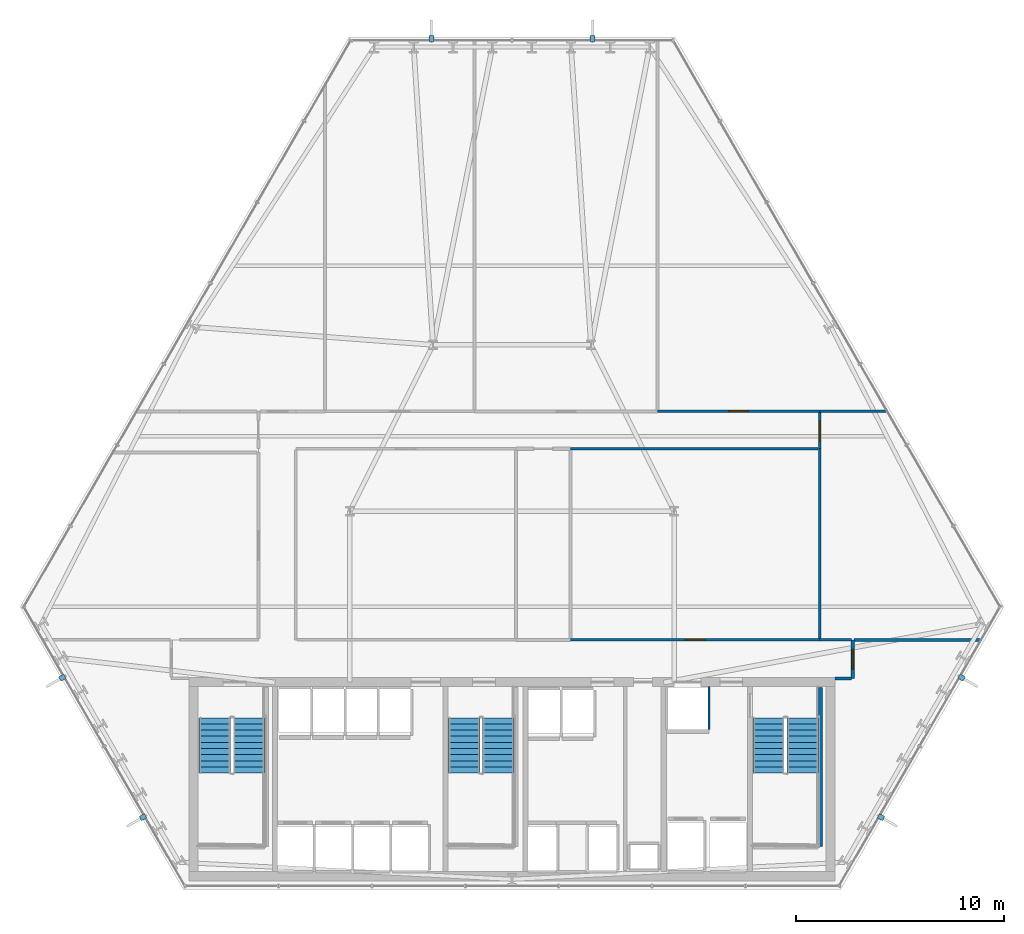
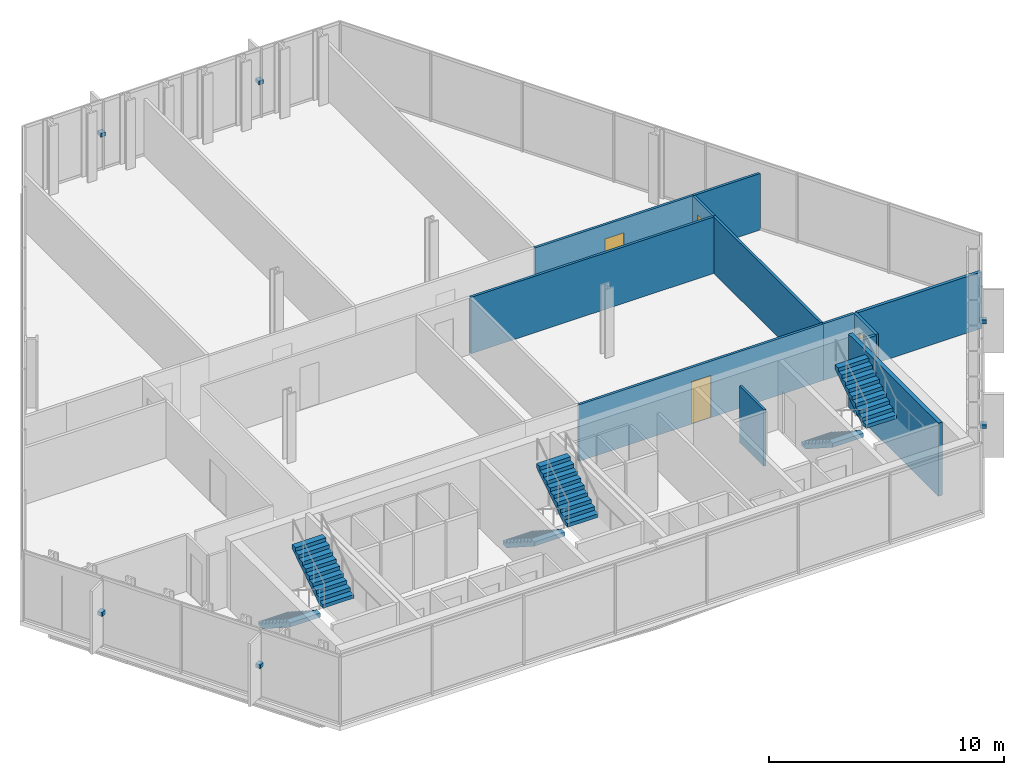
# One storey, part 28 of 32: 12 walls, 6 discrete accessories, 6 stair flights, 4 doors, 4 openings, 3 elements without a shape of their own.
"""IFC4 building model written with IfcOpenShell, lengths in metres."""

from ifc_helpers import new_model, si_unit, direction, frame, frame_2d, origin, origin_2d, place, context, subcontext, project, spatial, polyline, rectangle, outline, extrude, material, layer, layer_set, type_object, element, fill, aggregate, save


model = new_model("IFC4")

# Units and contexts
model_context = context("Model", 3, precision=1e-05, world=origin(), true_north=direction((0.0, 1.0)))
body_context = subcontext(model_context, "Body", "Model", "MODEL_VIEW")
ifc_project = project(units=[si_unit("LENGTHUNIT", "METRE"), si_unit("AREAUNIT", "SQUARE_METRE"), si_unit("VOLUMEUNIT", "CUBIC_METRE"), si_unit("PLANEANGLEUNIT", "RADIAN"), si_unit("MASSUNIT", "GRAM", prefix="KILO")], contexts=[model_context])

# Site, building, storey
site_placement = place(None, origin())
site = spatial("IfcSite", under=ifc_project, at=site_placement, CompositionType="ELEMENT")
building_placement = place(site_placement, origin())
building = spatial("IfcBuilding", under=site, at=building_placement, Name="Ndaravel Arena Tower", CompositionType="ELEMENT")
storey_placement = place(building_placement, frame((0.0, 0.0, 62.60009765625)))
storey = spatial("IfcBuildingStorey", under=building, at=storey_placement, Name="L13", CompositionType="ELEMENT", Elevation=62.60009765625)

# Wall, opening, door
ifc_material_1 = material(Name="Gypsum", Category="gypsum")
ifc_layer_1 = layer(ifc_material_1, 0.125)
ifc_layer_set_1 = layer_set([ifc_layer_1], Name="Gypsum")
wall_type_1 = type_object("IfcWallType", Name="WALL-PART-125", PredefinedType="PARTITIONING", material=ifc_layer_set_1)
wall_1_placement = place(storey_placement, frame((49.0, 28.0, 0.0), z_axis=(0.0, 0.0, 1.0), x_axis=(1.0, 0.0, 0.0)))
wall_1 = element("IfcWall", 1, at=wall_1_placement, inside=storey, type_object=wall_type_1, Name="L13 Interior Partition 012", PredefinedType="PARTITIONING", context=body_context, shape_type="SweptSolid", body=[
    extrude(rectangle(XDim=7.800048828125, YDim=0.125, at=frame_2d((3.89990234375, 0.0))), origin(), (0.0, 0.0, 1.0), 2.9326171875),
])
opening_1_placement = place(wall_1_placement, frame((3.425048828125, 0.0, 0.0)))
opening_1 = element("IfcOpeningElement", 2, at=opening_1_placement, cuts=wall_1, Name="Opening ID-01", PredefinedType="OPENING", context=body_context, shape_type="SweptSolid", body=[
    extrude(rectangle(XDim=0.949951171875, YDim=2.199951171875, at=frame_2d((0.47509765625, 1.10009765625))), frame((0.0, 0.0625, 0.0), z_axis=(0.0, -1.0, 0.0), x_axis=(1.0, 0.0, 0.0)), (0.0, 0.0, 1.0), 0.125),
])
ifc_material_2 = material(Name="Timber", Category="wood")
door_type_1 = type_object("IfcDoorType", Name="DT-03-OFFICE-950", OperationType="SINGLE_SWING_LEFT", PredefinedType="DOOR", material=ifc_material_2)
door_1_placement = place(opening_1_placement, origin())
door_1 = element("IfcDoor", 3, at=door_1_placement, inside=storey, type_object=door_type_1, Name="L13 Barista Galley 3 Door", OperationType="SINGLE_SWING_LEFT", OverallHeight=2.199951171875, OverallWidth=0.949951171875, PredefinedType="DOOR", context=body_context, shape_type="SweptSolid", body=[
    extrude(rectangle(XDim=0.949951171875, YDim=2.199951171875, at=frame_2d((0.47509765625, 1.10009765625))), frame((0.0, 0.02490234375, 0.0), z_axis=(0.0, -1.0, 0.0), x_axis=(1.0, 0.0, 0.0)), (0.0, 0.0, 1.0), 0.050048828125),
])
fill(opening_1, door_1)

wall_2_placement = place(storey_placement, frame((56.800048828125, 27.93505859375, 0.0), z_axis=(0.0, 0.0, 1.0), x_axis=(0.0, -1.0, 0.0)))
wall_2 = element("IfcWall", 4, at=wall_2_placement, inside=storey, type_object=wall_type_1, Name="L13 Interior Partition 013", PredefinedType="PARTITIONING", context=body_context, shape_type="SweptSolid", body=[
    extrude(rectangle(XDim=1.735107421875, YDim=0.125, at=frame_2d((0.86767578125, 0.0))), origin(), (0.0, 0.0, 1.0), 2.9326171875),
])
opening_2_placement = place(wall_2_placement, frame((0.392578125, 0.0, 0.0)))
opening_2 = element("IfcOpeningElement", 5, at=opening_2_placement, cuts=wall_2, Name="Opening ID-01", PredefinedType="OPENING", context=body_context, shape_type="SweptSolid", body=[
    extrude(rectangle(XDim=0.949951171875, YDim=2.199951171875, at=frame_2d((0.47509765625, 1.10009765625))), frame((0.0, 0.0625, 0.0), z_axis=(0.0, -1.0, 0.0), x_axis=(1.0, 0.0, 0.0)), (0.0, 0.0, 1.0), 0.125),
])
door_2_placement = place(opening_2_placement, origin())
door_2 = element("IfcDoor", 6, at=door_2_placement, inside=storey, type_object=door_type_1, Name="L13 Advisory Desk Office 3 Door", OperationType="SINGLE_SWING_RIGHT", OverallHeight=2.199951171875, OverallWidth=0.949951171875, PredefinedType="DOOR", context=body_context, shape_type="SweptSolid", body=[
    extrude(rectangle(XDim=0.949951171875, YDim=2.199951171875, at=frame_2d((0.47509765625, 1.10009765625))), frame((0.0, 0.02490234375, 0.0), z_axis=(0.0, -1.0, 0.0), x_axis=(1.0, 0.0, 0.0)), (0.0, 0.0, 1.0), 0.050048828125),
])
fill(opening_2, door_2)

# Wall
wall_3_placement = place(storey_placement, frame((56.735107421875, 26.199951171875, 0.0), z_axis=(0.0, 0.0, 1.0), x_axis=(-1.0, 0.0, 0.0)))
element("IfcWall", 7, at=wall_3_placement, inside=storey, type_object=wall_type_1, Name="L13 Interior Partition 014", PredefinedType="PARTITIONING", context=body_context, shape_type="SweptSolid", body=[
    extrude(rectangle(XDim=11.920166015625, YDim=0.125, at=frame_2d((5.9599609375, 0.0))), origin(), (0.0, 0.0, 1.0), 2.9326171875),
])

# Wall, opening, door
wall_4_placement = place(storey_placement, frame((44.81494140625, 17.0, 0.0), z_axis=(0.0, 0.0, 1.0), x_axis=(1.0, 0.0, 0.0)))
wall_4 = element("IfcWall", 8, at=wall_4_placement, inside=storey, type_object=wall_type_1, Name="L13 Interior Partition 020", PredefinedType="PARTITIONING", context=body_context, shape_type="SweptSolid", body=[
    extrude(rectangle(XDim=11.985107421875, YDim=0.125, at=frame_2d((5.99267578125, 0.0))), origin(), (0.0, 0.0, 1.0), 2.9326171875),
])
opening_3_placement = place(wall_4_placement, frame((5.517578125, 0.0, 0.0)))
opening_3 = element("IfcOpeningElement", 9, at=opening_3_placement, cuts=wall_4, Name="Opening ID-01", PredefinedType="OPENING", context=body_context, shape_type="SweptSolid", body=[
    extrude(rectangle(XDim=0.949951171875, YDim=2.199951171875, at=frame_2d((0.47509765625, 1.10009765625))), frame((0.0, 0.0625, 0.0), z_axis=(0.0, -1.0, 0.0), x_axis=(1.0, 0.0, 0.0)), (0.0, 0.0, 1.0), 0.125),
])
door_3_placement = place(opening_3_placement, origin())
door_3 = element("IfcDoor", 10, at=door_3_placement, inside=storey, type_object=door_type_1, Name="L13 Cellular Partner Office 2 Door", OperationType="SINGLE_SWING_LEFT", OverallHeight=2.199951171875, OverallWidth=0.949951171875, PredefinedType="DOOR", context=body_context, shape_type="SweptSolid", body=[
    extrude(rectangle(XDim=0.949951171875, YDim=2.199951171875, at=frame_2d((0.47509765625, 1.10009765625))), frame((0.0, 0.02490234375, 0.0), z_axis=(0.0, -1.0, 0.0), x_axis=(1.0, 0.0, 0.0)), (0.0, 0.0, 1.0), 0.050048828125),
])
fill(opening_3, door_3)

# Walls
wall_5_placement = place(storey_placement, frame((56.800048828125, 17.0, 0.0), z_axis=(0.0, 0.0, 1.0), x_axis=(1.0, 0.0, 0.0)))
element("IfcWall", 11, at=wall_5_placement, inside=storey, type_object=wall_type_1, Name="L13 Interior Partition 021", PredefinedType="PARTITIONING", context=body_context, shape_type="SweptSolid", body=[
    extrude(rectangle(XDim=1.534912109375, YDim=0.125, at=frame_2d((0.767578125, 0.0))), origin(), (0.0, 0.0, 1.0), 2.9326171875),
])
wall_6_placement = place(storey_placement, frame((56.800048828125, 26.199951171875, 0.0), z_axis=(0.0, 0.0, 1.0), x_axis=(0.0, -1.0, 0.0)))
element("IfcWall", 12, at=wall_6_placement, inside=storey, type_object=wall_type_1, Name="L13 Interior Partition 027", PredefinedType="PARTITIONING", context=body_context, shape_type="SweptSolid", body=[
    extrude(rectangle(XDim=9.135009765625, YDim=0.125, at=frame_2d((4.5673828125, 0.0))), origin(), (0.0, 0.0, 1.0), 2.9326171875),
])
wall_7_placement = place(storey_placement, frame((56.800048828125, 28.0, 0.0), z_axis=(0.0, 0.0, 1.0), x_axis=(1.0, 0.0, 0.0)))
element("IfcWall", 13, at=wall_7_placement, inside=storey, type_object=wall_type_1, Name="L13 Interior Partition 028", PredefinedType="PARTITIONING", context=body_context, shape_type="SweptSolid", body=[
    extrude(rectangle(XDim=3.260498046875, YDim=0.125, at=frame_2d((1.63037109375, 0.0))), origin(), (0.0, 0.0, 1.0), 2.9326171875),
])
ifc_material_3 = material(Name="Concrete C40/50", Category="concrete")
ifc_layer_2 = layer(ifc_material_3, 0.1201171875)
ifc_layer_set_2 = layer_set([ifc_layer_2], Name="Concrete C40/50")
wall_type_2 = type_object("IfcWallType", Name="WALL-SHAFT-120", PredefinedType="SOLIDWALL", material=ifc_layer_set_2)
wall_8_placement = place(storey_placement, frame((51.47998046875, 12.68994140625, 0.0), z_axis=(0.0, 0.0, 1.0), x_axis=(0.0, 1.0, 0.0)))
element("IfcWall", 14, at=wall_8_placement, inside=storey, type_object=wall_type_2, Name="L13 SVL-1 Shaft E Wall", PredefinedType="SOLIDWALL", context=body_context, shape_type="SweptSolid", body=[
    extrude(rectangle(XDim=2.070068359375, YDim=0.1201171875, at=frame_2d((1.03515625, 0.0))), origin(), (0.0, 0.0, 1.0), 2.9326171875),
])
ifc_material_4 = material(Name="Concrete C40/50", Category="concrete")
ifc_layer_3 = layer(ifc_material_4, 0.199951171875)
ifc_layer_set_3 = layer_set([ifc_layer_3], Name="Concrete C40/50")
wall_type_3 = type_object("IfcWallType", Name="WALL-SHAFT-200", PredefinedType="SOLIDWALL", material=ifc_layer_set_3)
wall_9_placement = place(storey_placement, frame((56.840087890625, 14.699951171875, 0.0), z_axis=(0.0, 0.0, 1.0), x_axis=(0.0, -1.0, 0.0)))
element("IfcWall", 15, at=wall_9_placement, inside=storey, type_object=wall_type_3, Name="L13 ST-3 Structural Shaft Wall Right", PredefinedType="SOLIDWALL", context=body_context, shape_type="SweptSolid", body=[
    extrude(rectangle(XDim=7.64990234375, YDim=0.199951171875, at=frame_2d((3.824951171875, 0.0))), origin(), (0.0, 0.0, 1.0), 3.7998046875),
])

# Wall, opening, door
ifc_material_5 = material(Name="Masonry", Category="masonry")
ifc_layer_4 = layer(ifc_material_5, 0.14990234375)
ifc_layer_set_4 = layer_set([ifc_layer_4], Name="Masonry")
wall_type_4 = type_object("IfcWallType", Name="WALL-WET-150", PredefinedType="PARTITIONING", material=ifc_layer_set_4)
wall_10_placement = place(storey_placement, frame((58.39990234375, 17.0, 0.0), z_axis=(0.0, 0.0, 1.0), x_axis=(0.0, -1.0, 0.0)))
wall_10 = element("IfcWall", 16, at=wall_10_placement, inside=storey, type_object=wall_type_4, Name="L13 Interior Partition 001", PredefinedType="PARTITIONING", context=body_context, shape_type="SweptSolid", body=[
    extrude(rectangle(XDim=1.85009765625, YDim=0.14990234375, at=frame_2d((0.925048828125, 0.0))), origin(), (0.0, 0.0, 1.0), 2.9326171875),
])
opening_4_placement = place(wall_10_placement, frame((0.449951171875, 0.0, 0.0)))
opening_4 = element("IfcOpeningElement", 17, at=opening_4_placement, cuts=wall_10, Name="Opening FD-03", PredefinedType="OPENING", context=body_context, shape_type="SweptSolid", body=[
    extrude(rectangle(XDim=0.949951171875, YDim=2.199951171875, at=frame_2d((0.47509765625, 1.10009765625))), frame((0.0, 0.074951171875, 0.0), z_axis=(0.0, -1.0, 0.0), x_axis=(1.0, 0.0, 0.0)), (0.0, 0.0, 1.0), 0.14990234375),
])
ifc_material_6 = material(Name="Steel S355", Category="steel")
door_type_2 = type_object("IfcDoorType", Name="DT-11-CORE-950", OperationType="SINGLE_SWING_LEFT", PredefinedType="DOOR", material=ifc_material_6)
door_4_placement = place(opening_4_placement, origin())
door_4 = element("IfcDoor", 18, at=door_4_placement, inside=storey, type_object=door_type_2, Name="L13 Staff Espresso Kitchen Door", OperationType="SINGLE_SWING_LEFT", OverallHeight=2.199951171875, OverallWidth=0.949951171875, PredefinedType="DOOR", context=body_context, shape_type="SweptSolid", body=[
    extrude(rectangle(XDim=0.949951171875, YDim=2.199951171875, at=frame_2d((0.47509765625, 1.10009765625))), frame((0.0, 0.02490234375, 0.0), z_axis=(0.0, -1.0, 0.0), x_axis=(1.0, 0.0, 0.0)), (0.0, 0.0, 1.0), 0.050048828125),
])
fill(opening_4, door_4)

# Walls
wall_11_placement = place(storey_placement, frame((58.3349609375, 15.14990234375, 0.0), z_axis=(0.0, 0.0, 1.0), x_axis=(-1.0, 0.0, 0.0)))
element("IfcWall", 19, at=wall_11_placement, inside=storey, type_object=wall_type_4, Name="L13 Interior Partition 002", PredefinedType="PARTITIONING", context=body_context, shape_type="SweptSolid", body=[
    extrude(rectangle(XDim=0.784912109375, YDim=0.14990234375, at=frame_2d((0.392578125, 0.0))), origin(), (0.0, 0.0, 1.0), 2.9326171875),
])
wall_12_placement = place(storey_placement, frame((58.465087890625, 17.0, 0.0), z_axis=(0.0, 0.0, 1.0), x_axis=(1.0, 0.0, 0.0)))
element("IfcWall", 20, at=wall_12_placement, inside=storey, type_object=wall_type_4, Name="L13 Interior Partition 023", PredefinedType="PARTITIONING", context=body_context, shape_type="SweptSolid", body=[
    extrude(rectangle(XDim=6.105712890625, YDim=0.14990234375, at=frame_2d((3.052734375, 0.0))), origin(), (0.0, 0.0, 1.0), 2.9326171875),
])

# Stair, stair flights
ifc_material_7 = material(Name="Concrete C40/50", Category="concrete")
stair_type = type_object("IfcStairType", Name="STAIR-CORE-HT", PredefinedType="HALF_TURN_STAIR", material=ifc_material_7)
stair_1_placement = place(storey_placement, origin())
stair_1 = element("IfcStair", 21, at=stair_1_placement, inside=storey, type_object=stair_type, Name="L13 ST-1", PredefinedType="HALF_TURN_STAIR")
ifc_material_8 = material(Name="Concrete C40/50", Category="concrete")
stair_flight_type = type_object("IfcStairFlightType", Name="SFLIGHT-CORE-1680", PredefinedType="STRAIGHT", material=ifc_material_8)
stair_flight_1_placement = place(storey_placement, frame((27.699951171875, 13.25, 0.0), z_axis=(0.0, 0.0, 1.0), x_axis=(0.0, -1.0, 0.0)))
stair_flight_1 = element("IfcStairFlight", 22, at=stair_flight_1_placement, type_object=stair_flight_type, Name="ST-1 flight 1", NumberOfRisers=10, NumberOfTreads=9, PredefinedType="STRAIGHT", RiserHeight=0.19, TreadLength=0.295, context=body_context, shape_type="SweptSolid", body=[
    extrude(outline(polyline([(0.0, 0.0), (0.0, 0.18994140625), (0.294921875, 0.18994140625), (0.294921875, 0.3798828125), (0.590087890625, 0.3798828125), (0.590087890625, 0.570068359375), (0.885009765625, 0.570068359375), (0.885009765625, 0.760009765625), (1.179931640625, 0.760009765625), (1.179931640625, 0.949951171875), (1.47509765625, 0.949951171875), (1.47509765625, 1.139892578125), (1.77001953125, 1.139892578125), (1.77001953125, 1.330078125), (2.06494140625, 1.330078125), (2.06494140625, 1.52001953125), (2.360107421875, 1.52001953125), (2.360107421875, 1.7099609375), (2.655029296875, 1.7099609375), (2.655029296875, 1.89990234375), (2.655029296875, 1.49609375), (0.332275390625, 0.0), (0.0, 0.0)])), frame((0.0, 0.75, 0.0), z_axis=(0.0, -1.0, 0.0), x_axis=(1.0, 0.0, 0.0)), (0.0, 0.0, 1.0), 1.5),
])
stair_flight_2_placement = place(storey_placement, frame((29.340087890625, 10.594970703125, 1.89990234375), z_axis=(0.0, 0.0, 1.0), x_axis=(0.0, 1.0, 0.0)))
stair_flight_2 = element("IfcStairFlight", 23, at=stair_flight_2_placement, type_object=stair_flight_type, Name="ST-1 flight 2", NumberOfRisers=10, NumberOfTreads=9, PredefinedType="STRAIGHT", RiserHeight=0.19, TreadLength=0.295, context=body_context, shape_type="SweptSolid", body=[
    extrude(outline(polyline([(0.0, 0.0), (0.0, 0.18994140625), (0.294921875, 0.18994140625), (0.294921875, 0.3798828125), (0.590087890625, 0.3798828125), (0.590087890625, 0.570068359375), (0.885009765625, 0.570068359375), (0.885009765625, 0.760009765625), (1.179931640625, 0.760009765625), (1.179931640625, 0.949951171875), (1.47509765625, 0.949951171875), (1.47509765625, 1.139892578125), (1.77001953125, 1.139892578125), (1.77001953125, 1.330078125), (2.06494140625, 1.330078125), (2.06494140625, 1.52001953125), (2.360107421875, 1.52001953125), (2.360107421875, 1.7099609375), (2.655029296875, 1.7099609375), (2.655029296875, 1.89990234375), (2.655029296875, 1.49609375), (0.332275390625, 0.0), (0.0, 0.0)])), frame((0.0, 0.75, 0.0), z_axis=(0.0, -1.0, 0.0), x_axis=(1.0, 0.0, 0.0)), (0.0, 0.0, 1.0), 1.5),
])
aggregate(stair_1, [stair_flight_1, stair_flight_2])

stair_2_placement = place(storey_placement, origin())
stair_2 = element("IfcStair", 24, at=stair_2_placement, inside=storey, type_object=stair_type, Name="L13 ST-2", PredefinedType="HALF_TURN_STAIR")
stair_flight_3_placement = place(storey_placement, frame((39.699951171875, 13.25, 0.0), z_axis=(0.0, 0.0, 1.0), x_axis=(0.0, -1.0, 0.0)))
stair_flight_3 = element("IfcStairFlight", 25, at=stair_flight_3_placement, type_object=stair_flight_type, Name="ST-2 flight 1", NumberOfRisers=10, NumberOfTreads=9, PredefinedType="STRAIGHT", RiserHeight=0.19, TreadLength=0.295, context=body_context, shape_type="SweptSolid", body=[
    extrude(outline(polyline([(0.0, 0.0), (0.0, 0.18994140625), (0.294921875, 0.18994140625), (0.294921875, 0.3798828125), (0.590087890625, 0.3798828125), (0.590087890625, 0.570068359375), (0.885009765625, 0.570068359375), (0.885009765625, 0.760009765625), (1.179931640625, 0.760009765625), (1.179931640625, 0.949951171875), (1.47509765625, 0.949951171875), (1.47509765625, 1.139892578125), (1.77001953125, 1.139892578125), (1.77001953125, 1.330078125), (2.06494140625, 1.330078125), (2.06494140625, 1.52001953125), (2.360107421875, 1.52001953125), (2.360107421875, 1.7099609375), (2.655029296875, 1.7099609375), (2.655029296875, 1.89990234375), (2.655029296875, 1.49609375), (0.332275390625, 0.0), (0.0, 0.0)])), frame((0.0, 0.75, 0.0), z_axis=(0.0, -1.0, 0.0), x_axis=(1.0, 0.0, 0.0)), (0.0, 0.0, 1.0), 1.5),
])
stair_flight_4_placement = place(storey_placement, frame((41.340087890625, 10.594970703125, 1.89990234375), z_axis=(0.0, 0.0, 1.0), x_axis=(0.0, 1.0, 0.0)))
stair_flight_4 = element("IfcStairFlight", 26, at=stair_flight_4_placement, type_object=stair_flight_type, Name="ST-2 flight 2", NumberOfRisers=10, NumberOfTreads=9, PredefinedType="STRAIGHT", RiserHeight=0.19, TreadLength=0.295, context=body_context, shape_type="SweptSolid", body=[
    extrude(outline(polyline([(0.0, 0.0), (0.0, 0.18994140625), (0.294921875, 0.18994140625), (0.294921875, 0.3798828125), (0.590087890625, 0.3798828125), (0.590087890625, 0.570068359375), (0.885009765625, 0.570068359375), (0.885009765625, 0.760009765625), (1.179931640625, 0.760009765625), (1.179931640625, 0.949951171875), (1.47509765625, 0.949951171875), (1.47509765625, 1.139892578125), (1.77001953125, 1.139892578125), (1.77001953125, 1.330078125), (2.06494140625, 1.330078125), (2.06494140625, 1.52001953125), (2.360107421875, 1.52001953125), (2.360107421875, 1.7099609375), (2.655029296875, 1.7099609375), (2.655029296875, 1.89990234375), (2.655029296875, 1.49609375), (0.332275390625, 0.0), (0.0, 0.0)])), frame((0.0, 0.75, 0.0), z_axis=(0.0, -1.0, 0.0), x_axis=(1.0, 0.0, 0.0)), (0.0, 0.0, 1.0), 1.5),
])
aggregate(stair_2, [stair_flight_3, stair_flight_4])

stair_3_placement = place(storey_placement, origin())
stair_3 = element("IfcStair", 27, at=stair_3_placement, inside=storey, type_object=stair_type, Name="L13 ST-3", PredefinedType="HALF_TURN_STAIR")
stair_flight_5_placement = place(storey_placement, frame((54.35009765625, 13.25, 0.0), z_axis=(0.0, 0.0, 1.0), x_axis=(0.0, -1.0, 0.0)))
stair_flight_5 = element("IfcStairFlight", 28, at=stair_flight_5_placement, type_object=stair_flight_type, Name="ST-3 flight 1", NumberOfRisers=10, NumberOfTreads=9, PredefinedType="STRAIGHT", RiserHeight=0.19, TreadLength=0.295, context=body_context, shape_type="SweptSolid", body=[
    extrude(outline(polyline([(0.0, 0.0), (0.0, 0.18994140625), (0.294921875, 0.18994140625), (0.294921875, 0.3798828125), (0.590087890625, 0.3798828125), (0.590087890625, 0.570068359375), (0.885009765625, 0.570068359375), (0.885009765625, 0.760009765625), (1.179931640625, 0.760009765625), (1.179931640625, 0.949951171875), (1.47509765625, 0.949951171875), (1.47509765625, 1.139892578125), (1.77001953125, 1.139892578125), (1.77001953125, 1.330078125), (2.06494140625, 1.330078125), (2.06494140625, 1.52001953125), (2.360107421875, 1.52001953125), (2.360107421875, 1.7099609375), (2.655029296875, 1.7099609375), (2.655029296875, 1.89990234375), (2.655029296875, 1.49609375), (0.332275390625, 0.0), (0.0, 0.0)])), frame((0.0, 0.75, 0.0), z_axis=(0.0, -1.0, 0.0), x_axis=(1.0, 0.0, 0.0)), (0.0, 0.0, 1.0), 1.5),
])
stair_flight_6_placement = place(storey_placement, frame((55.989990234375, 10.594970703125, 1.89990234375), z_axis=(0.0, 0.0, 1.0), x_axis=(0.0, 1.0, 0.0)))
stair_flight_6 = element("IfcStairFlight", 29, at=stair_flight_6_placement, type_object=stair_flight_type, Name="ST-3 flight 2", NumberOfRisers=10, NumberOfTreads=9, PredefinedType="STRAIGHT", RiserHeight=0.19, TreadLength=0.295, context=body_context, shape_type="SweptSolid", body=[
    extrude(outline(polyline([(0.0, 0.0), (0.0, 0.18994140625), (0.294921875, 0.18994140625), (0.294921875, 0.3798828125), (0.590087890625, 0.3798828125), (0.590087890625, 0.570068359375), (0.885009765625, 0.570068359375), (0.885009765625, 0.760009765625), (1.179931640625, 0.760009765625), (1.179931640625, 0.949951171875), (1.47509765625, 0.949951171875), (1.47509765625, 1.139892578125), (1.77001953125, 1.139892578125), (1.77001953125, 1.330078125), (2.06494140625, 1.330078125), (2.06494140625, 1.52001953125), (2.360107421875, 1.52001953125), (2.360107421875, 1.7099609375), (2.655029296875, 1.7099609375), (2.655029296875, 1.89990234375), (2.655029296875, 1.49609375), (0.332275390625, 0.0), (0.0, 0.0)])), frame((0.0, 0.75, 0.0), z_axis=(0.0, -1.0, 0.0), x_axis=(1.0, 0.0, 0.0)), (0.0, 0.0, 1.0), 1.5),
])
aggregate(stair_3, [stair_flight_5, stair_flight_6])

# Discrete accessories
ifc_material_9 = material(Name="Steel S355", Category="steel")
discrete_accessory_type = type_object("IfcDiscreteAccessoryType", Name="ACC-BRACKET-FIN", PredefinedType="BRACKET", material=ifc_material_9)
for number, where, z_axis, x_axis, name in (
    (30, (59.760498046875, 8.468505859375, 1.68994140625), (0.0, 0.0, 1.0), (0.866025403784, -0.5, 0.0), "L13 Mazeras Stone Solar Fin E2.1 Bracket"),
    (31, (63.638671875, 15.185302734375, 1.68994140625), (0.0, 0.0, 1.0), (0.866025403784, -0.5, 0.0), "L13 Mazeras Stone Solar Fin E2.2 Bracket"),
    (32, (45.878173828125, 45.947998046875, 1.68994140625), (0.0, 0.0, 1.0), (0.0, 1.0, 0.0), "L13 Mazeras Stone Solar Fin E4.1 Bracket"),
    (33, (38.121826171875, 45.947998046875, 1.68994140625), (0.0, 0.0, 1.0), (0.0, 1.0, 0.0), "L13 Mazeras Stone Solar Fin E4.2 Bracket"),
    (34, (20.361328125, 15.185302734375, 1.68994140625), (0.0, 0.0, 1.0), (-0.866025403784, -0.5, 0.0), "L13 Mazeras Stone Solar Fin E6.1 Bracket"),
    (35, (24.239501953125, 8.468505859375, 1.68994140625), (0.0, 0.0, 1.0), (-0.866025403784, -0.5, 0.0), "L13 Mazeras Stone Solar Fin E6.2 Bracket"),
):
    element("IfcDiscreteAccessory", number, at=place(storey_placement, frame(where, z_axis=z_axis, x_axis=x_axis)), inside=storey, type_object=discrete_accessory_type, Name=name, PredefinedType="BRACKET", context=body_context, shape_type="SweptSolid", body=[
        extrude(rectangle(XDim=0.280029296875, YDim=0.239990234375, at=origin_2d()), origin(), (0.0, 0.0, 1.0), 0.199951171875),
    ])

save(model, "model.ifc")
